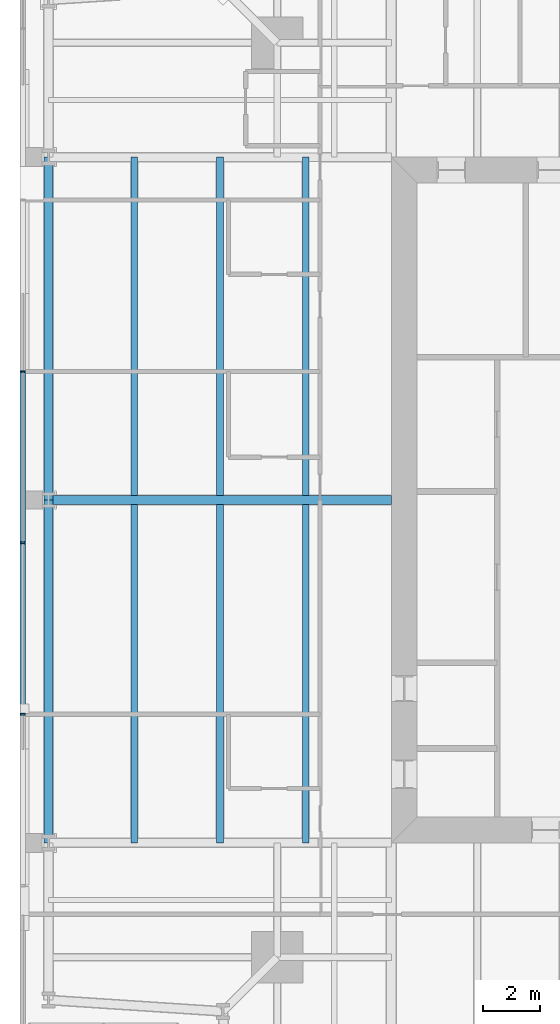
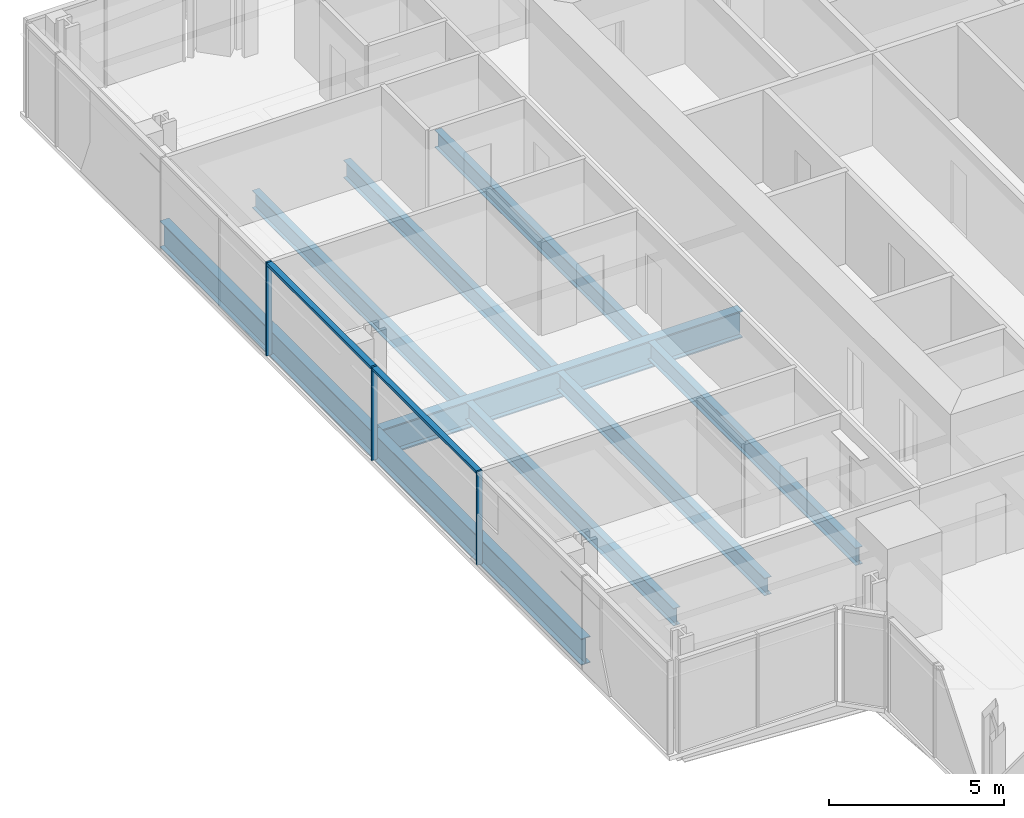
# One storey, part 4 of 18: 9 beams, 5 members, 1 element without a shape of its own.
"""IFC4 building model written with IfcOpenShell, lengths in metres."""

from ifc_helpers import new_model, si_unit, direction, frame, origin, origin_2d, place, context, subcontext, project, spatial, rectangle, i_section, extrude, material, material_profile, profile_set, type_object, element, aggregate, save


model = new_model("IFC4")

# Units and contexts
model_context = context("Model", 3, precision=1e-05, world=origin(), true_north=direction((0.0, 1.0)))
body_context = subcontext(model_context, "Body", "Model", "MODEL_VIEW")
ifc_project = project(units=[si_unit("LENGTHUNIT", "METRE"), si_unit("AREAUNIT", "SQUARE_METRE"), si_unit("VOLUMEUNIT", "CUBIC_METRE"), si_unit("PLANEANGLEUNIT", "RADIAN"), si_unit("MASSUNIT", "GRAM", prefix="KILO")], contexts=[model_context])

# Site, building, storey
site_placement = place(None, origin())
site = spatial("IfcSite", under=ifc_project, at=site_placement, CompositionType="ELEMENT")
building_placement = place(site_placement, origin())
building = spatial("IfcBuilding", under=site, at=building_placement, Name="Fenwick Lantern Interchange", CompositionType="ELEMENT")
storey_placement = place(building_placement, frame((0.0, 0.0, 266.199951171875)))
storey = spatial("IfcBuildingStorey", under=building, at=storey_placement, Name="L63", CompositionType="ELEMENT", Elevation=266.199951171875)

# Beams
ifc_material_1 = material(Name="Steel ASTM A992 Grade 50", Category="steel")
ifc_material_profile_1 = material_profile(ifc_material_1, i_section(OverallWidth=0.3046875, OverallDepth=0.911865234375, WebThickness=0.015869140625, FlangeThickness=0.02392578125, at=origin_2d()), Name="W36X150")
ifc_profile_set_1 = profile_set([ifc_material_profile_1], Name="Steel ASTM A992 Grade 50")
beam_type_1 = type_object("IfcBeamType", Name="EDGE BEAM W36X150", PredefinedType="SPANDREL", material=ifc_profile_set_1)
for number, where, z_axis, x_axis, name in (
    (1, (1.0, 37.0, -0.60595703125), (0.0, -1.0, 0.0), (1.0, 0.0, 0.0), "L63/FR/W/EB2"),
    (2, (1.0, 25.0, -0.60595703125), (0.0, -1.0, 0.0), (1.0, 0.0, 0.0), "L63/FR/W/EB3"),
):
    element("IfcBeam", number, at=place(storey_placement, frame(where, z_axis=z_axis, x_axis=x_axis)), inside=storey, type_object=beam_type_1, Name=name, PredefinedType="SPANDREL", context=body_context, shape_type="SweptSolid", body=[
        extrude(i_section(OverallWidth=0.3046875, OverallDepth=0.911865234375, WebThickness=0.015869140625, FlangeThickness=0.02392578125, at=origin_2d()), origin(), (0.0, 0.0, 1.0), 12.0),
    ])
ifc_material_profile_2 = material_profile(ifc_material_1, i_section(OverallWidth=0.22900390625, OverallDepth=0.612060546875, WebThickness=0.011962890625, FlangeThickness=0.01953125, at=origin_2d()), Name="W24X84")
ifc_profile_set_2 = profile_set([ifc_material_profile_2], Name="Steel ASTM A992 Grade 50")
beam_type_2 = type_object("IfcBeamType", Name="FLOOR BEAM W24X84", PredefinedType="BEAM", material=ifc_profile_set_2)
for number, where, z_axis, x_axis, name in (
    (3, (4.0, 37.0, -0.4560546875), (0.0, -1.0, 0.0), (1.0, 0.0, 0.0), "L63/FR/W/B01"),
    (4, (7.0, 37.0, -0.4560546875), (0.0, -1.0, 0.0), (1.0, 0.0, 0.0), "L63/FR/W/B02"),
    (5, (10.0, 37.0, -0.4560546875), (0.0, -1.0, 0.0), (1.0, 0.0, 0.0), "L63/FR/W/B03"),
    (6, (4.0, 24.844970703125, -0.4560546875), (0.0, -1.0, 0.0), (1.0, 0.0, 0.0), "L63/FR/W/B04"),
    (7, (7.0, 24.844970703125, -0.4560546875), (0.0, -1.0, 0.0), (1.0, 0.0, 0.0), "L63/FR/W/B05"),
    (8, (10.0, 24.844970703125, -0.4560546875), (0.0, -1.0, 0.0), (1.0, 0.0, 0.0), "L63/FR/W/B06"),
):
    element("IfcBeam", number, at=place(storey_placement, frame(where, z_axis=z_axis, x_axis=x_axis)), inside=storey, type_object=beam_type_2, Name=name, PredefinedType="BEAM", context=body_context, shape_type="SweptSolid", body=[
        extrude(i_section(OverallWidth=0.22900390625, OverallDepth=0.612060546875, WebThickness=0.011962890625, FlangeThickness=0.01953125, at=origin_2d()), origin(), (0.0, 0.0, 1.0), 11.844970703125),
    ])

# Curtain wall, members
ifc_material_2 = material(Name="Aluminium curtain wall frame", Category="aluminium")
curtain_wall_type = type_object("IfcCurtainWallType", Name="HOTEL CURTAIN WALL", PredefinedType="USERDEFINED", material=ifc_material_2)
curtain_wall_placement = place(storey_placement, origin())
curtain_wall = element("IfcCurtainWall", 9, at=curtain_wall_placement, inside=storey, type_object=curtain_wall_type, Name="Hotel curtain wall 13", ObjectType="HOTEL CURTAIN WALL", PredefinedType="USERDEFINED")
ifc_material_3 = material(Name="Aluminium extrusion", Category="aluminium")
ifc_material_profile_3 = material_profile(ifc_material_3, rectangle(XDim=0.179931640625, YDim=0.06005859375, at=origin_2d()), Name="HOTEL CURTAIN WALL MULLION 60 X 180")
ifc_profile_set_3 = profile_set([ifc_material_profile_3], Name="Aluminium extrusion")
member_type_1 = type_object("IfcMemberType", Name="HOTEL CURTAIN WALL MULLION 60 X 180", PredefinedType="MULLION", material=ifc_profile_set_3)
member_1_placement = place(storey_placement, frame((0.10009765625, 29.5, 0.0), z_axis=(0.0, 0.0, 1.0), x_axis=(1.0, 0.0, 0.0)))
member_1 = element("IfcMember", 10, at=member_1_placement, type_object=member_type_1, Name="L63/CW/13/M03", PredefinedType="MULLION", context=body_context, shape_type="SweptSolid", body=[
    extrude(rectangle(XDim=0.179931640625, YDim=0.06005859375, at=origin_2d()), origin(), (0.0, 0.0, 1.0), 3.25),
])
member_2_placement = place(storey_placement, frame((0.10009765625, 23.5, 0.0), z_axis=(0.0, 0.0, 1.0), x_axis=(1.0, 0.0, 0.0)))
member_2 = element("IfcMember", 11, at=member_2_placement, type_object=member_type_1, Name="L63/CW/13/M04", PredefinedType="MULLION", context=body_context, shape_type="SweptSolid", body=[
    extrude(rectangle(XDim=0.179931640625, YDim=0.06005859375, at=origin_2d()), origin(), (0.0, 0.0, 1.0), 3.25),
])
member_3_placement = place(storey_placement, frame((0.10009765625, 17.5, 0.0), z_axis=(0.0, 0.0, 1.0), x_axis=(1.0, 0.0, 0.0)))
member_3 = element("IfcMember", 12, at=member_3_placement, type_object=member_type_1, Name="L63/CW/13/M05", PredefinedType="MULLION", context=body_context, shape_type="SweptSolid", body=[
    extrude(rectangle(XDim=0.179931640625, YDim=0.06005859375, at=origin_2d()), origin(), (0.0, 0.0, 1.0), 3.25),
])
ifc_material_profile_4 = material_profile(ifc_material_3, rectangle(XDim=0.179931640625, YDim=0.10009765625, at=origin_2d()), Name="HOTEL CURTAIN WALL TRANSOM 100 X 180")
ifc_profile_set_4 = profile_set([ifc_material_profile_4], Name="Aluminium extrusion")
member_type_2 = type_object("IfcMemberType", Name="HOTEL CURTAIN WALL TRANSOM 100 X 180", PredefinedType="MULLION", material=ifc_profile_set_4)
member_4_placement = place(storey_placement, frame((0.10009765625, 29.469970703125, 3.199951171875), z_axis=(0.0, -1.0, 0.0), x_axis=(1.0, 0.0, 0.0)))
member_4 = element("IfcMember", 13, at=member_4_placement, type_object=member_type_2, Name="L63/CW/13/T03", PredefinedType="MULLION", context=body_context, shape_type="SweptSolid", body=[
    extrude(rectangle(XDim=0.179931640625, YDim=0.10009765625, at=origin_2d()), origin(), (0.0, 0.0, 1.0), 5.93994140625),
])
member_5_placement = place(storey_placement, frame((0.10009765625, 23.469970703125, 3.199951171875), z_axis=(0.0, -1.0, 0.0), x_axis=(1.0, 0.0, 0.0)))
member_5 = element("IfcMember", 14, at=member_5_placement, type_object=member_type_2, Name="L63/CW/13/T04", PredefinedType="MULLION", context=body_context, shape_type="SweptSolid", body=[
    extrude(rectangle(XDim=0.179931640625, YDim=0.10009765625, at=origin_2d()), origin(), (0.0, 0.0, 1.0), 5.93994140625),
])
aggregate(curtain_wall, [member_1, member_2, member_3, member_4, member_5])

# Beam
ifc_material_profile_5 = material_profile(ifc_material_1, i_section(OverallWidth=0.309814453125, OverallDepth=0.949951171875, WebThickness=0.0244140625, FlangeThickness=0.0439453125, at=origin_2d()), Name="W36X256")
ifc_profile_set_5 = profile_set([ifc_material_profile_5], Name="Steel ASTM A992 Grade 50")
beam_type_3 = type_object("IfcBeamType", Name="MOMENT-CONNECTED GIRDER W36X256", PredefinedType="BEAM", material=ifc_profile_set_5)
beam_placement = place(storey_placement, frame((1.0, 25.0, -0.625), z_axis=(1.0, 0.0, 0.0), x_axis=(0.0, 1.0, 0.0)))
element("IfcBeam", 15, at=beam_placement, inside=storey, type_object=beam_type_3, Name="L63/FR/W/R02", PredefinedType="BEAM", context=body_context, shape_type="SweptSolid", body=[
    extrude(i_section(OverallWidth=0.309814453125, OverallDepth=0.949951171875, WebThickness=0.0244140625, FlangeThickness=0.0439453125, at=origin_2d()), origin(), (0.0, 0.0, 1.0), 12.0),
])

save(model, "model.ifc")
